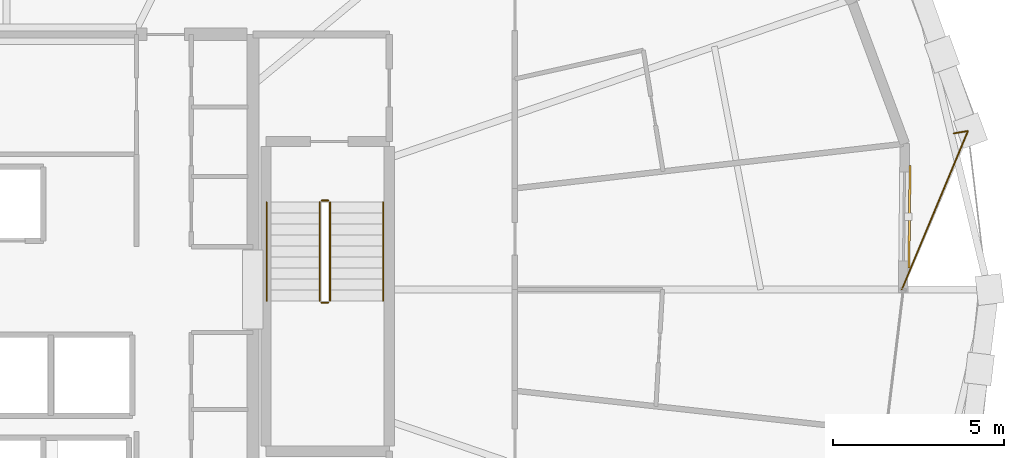
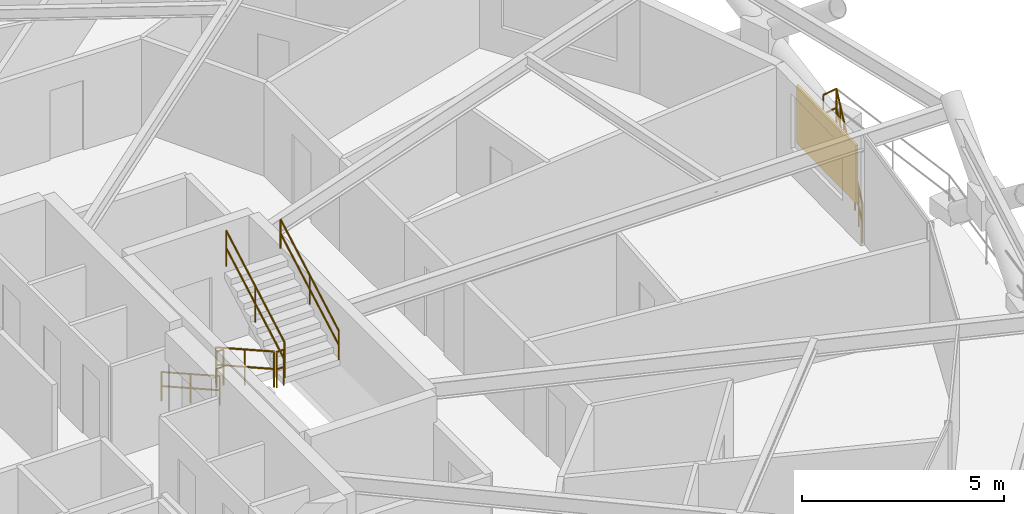
# One storey, part 20 of 20: 7 railings, 1 shading device.
"""IFC4 building model written with IfcOpenShell, lengths in metres."""

from ifc_helpers import new_model, si_unit, direction, frame, origin, origin_2d, place, context, subcontext, project, spatial, rectangle, circle, extrude, material, layer, layer_set, type_object, element, save


model = new_model("IFC4")

# Units and contexts
model_context = context("Model", 3, precision=1e-05, world=origin(), true_north=direction((0.0, 1.0)))
body_context = subcontext(model_context, "Body", "Model", "MODEL_VIEW")
ifc_project = project(units=[si_unit("LENGTHUNIT", "METRE"), si_unit("AREAUNIT", "SQUARE_METRE"), si_unit("VOLUMEUNIT", "CUBIC_METRE"), si_unit("PLANEANGLEUNIT", "RADIAN"), si_unit("MASSUNIT", "GRAM", prefix="KILO")], contexts=[model_context])

# Site, building, storey
site_placement = place(None, origin())
site = spatial("IfcSite", under=ifc_project, at=site_placement, CompositionType="ELEMENT")
building_placement = place(site_placement, origin())
building = spatial("IfcBuilding", under=site, at=building_placement, Name="Veldorina Hangang Commons", CompositionType="ELEMENT")
storey_placement = place(building_placement, frame((0.0, 0.0, 117.199951171875)))
storey = spatial("IfcBuildingStorey", under=building, at=storey_placement, Name="L29", CompositionType="ELEMENT", Elevation=117.199951171875)

# Railings
ifc_material_1 = material(Name="Glass Laminated Safety Balustrade", Category="glass")
railing_type_1 = type_object("IfcRailingType", Name="RL-BAL-LOGGIA", PredefinedType="BALUSTRADE", material=ifc_material_1)
railing_1_placement = place(storey_placement, frame((59.66162109375, 28.560791015625, 0.0)))
element("IfcRailing", 1, at=railing_1_placement, inside=storey, type_object=railing_type_1, Name="L29 sky-garden loggia end balustrade B", PredefinedType="BALUSTRADE", context=body_context, shape_type="SweptSolid", body=[
    extrude(circle(Radius=0.02392578125, at=origin_2d()), frame((0.0, 0.0, 1.17578125), z_axis=(0.986659757818, 0.162795952969, 0.0), x_axis=(-0.162795952969, 0.986659757818, 0.0)), (0.0, 0.0, 1.0), 0.419921875),
    extrude(circle(Radius=0.02392578125, at=origin_2d()), frame((0.0, 0.0, 0.60009765625), z_axis=(0.986659757818, 0.162795952969, 0.0), x_axis=(-0.162795952969, 0.986659757818, 0.0)), (0.0, 0.0, 1.0), 0.419921875),
    extrude(circle(Radius=0.02392578125, at=origin_2d()), frame((0.414306640625, 0.068359375, 1.17578125), z_axis=(-0.384722536886, -0.923032268998, 0.0), x_axis=(0.923032268998, -0.384722536886, 0.0)), (0.0, 0.0, 1.0), 5.01513671875),
    extrude(circle(Radius=0.02392578125, at=origin_2d()), frame((0.414306640625, 0.068359375, 0.60009765625), z_axis=(-0.384722536886, -0.923032268998, 0.0), x_axis=(0.923032268998, -0.384722536886, 0.0)), (0.0, 0.0, 1.0), 5.01513671875),
    extrude(circle(Radius=0.02099609375, at=origin_2d()), origin(), (0.0, 0.0, 1.0), 1.15185546875),
    extrude(circle(Radius=0.02099609375, at=origin_2d()), frame((0.414306640625, 0.068359375, 0.0)), (0.0, 0.0, 1.0), 1.15185546875),
    extrude(circle(Radius=0.02099609375, at=origin_2d()), frame((0.138671875, -0.593017578125, 0.0)), (0.0, 0.0, 1.0), 1.15185546875),
    extrude(circle(Radius=0.02099609375, at=origin_2d()), frame((-0.136962890625, -1.254150390625, 0.0)), (0.0, 0.0, 1.0), 1.15185546875),
    extrude(circle(Radius=0.02099609375, at=origin_2d()), frame((-0.41259765625, -1.91552734375, 0.0)), (0.0, 0.0, 1.0), 1.15185546875),
    extrude(circle(Radius=0.02099609375, at=origin_2d()), frame((-0.688232421875, -2.576904296875, 0.0)), (0.0, 0.0, 1.0), 1.15185546875),
    extrude(circle(Radius=0.02099609375, at=origin_2d()), frame((-0.9638671875, -3.23828125, 0.0)), (0.0, 0.0, 1.0), 1.15185546875),
    extrude(circle(Radius=0.02099609375, at=origin_2d()), frame((-1.239501953125, -3.8994140625, 0.0)), (0.0, 0.0, 1.0), 1.15185546875),
    extrude(circle(Radius=0.02099609375, at=origin_2d()), frame((-1.51513671875, -4.560791015625, 0.0)), (0.0, 0.0, 1.0), 1.15185546875),
])
ifc_material_2 = material(Name="Steel Painted Balustrade", Category="steel")
railing_type_2 = type_object("IfcRailingType", Name="RL-GRD-STAIR", PredefinedType="GUARDRAIL", material=ifc_material_2)
railing_2_placement = place(storey_placement, frame((41.14990234375, 26.550048828125, 0.179931640625)))
element("IfcRailing", 2, at=railing_2_placement, inside=storey, type_object=railing_type_2, Name="L29 ST-2 stair guard 1", PredefinedType="GUARDRAIL", context=body_context, shape_type="SweptSolid", body=[
    extrude(circle(Radius=0.02392578125, at=origin_2d()), frame((0.0, 0.0, 1.076171875), z_axis=(0.0, -0.871569617843, 0.490271762652), x_axis=(1.0, 0.0, 0.0)), (0.0, 0.0, 1.0), 3.304443359375),
    extrude(circle(Radius=0.02392578125, at=origin_2d()), frame((0.0, 0.0, 0.550048828125), z_axis=(0.0, -0.871569617843, 0.490271762652), x_axis=(1.0, 0.0, 0.0)), (0.0, 0.0, 1.0), 3.304443359375),
    extrude(circle(Radius=0.02099609375, at=origin_2d()), origin(), (0.0, 0.0, 1.0), 1.052001953125),
    extrude(circle(Radius=0.02099609375, at=origin_2d()), frame((0.0, -1.43994140625, 0.81005859375)), (0.0, 0.0, 1.0), 1.052001953125),
    extrude(circle(Radius=0.02099609375, at=origin_2d()), frame((0.0, -2.880126953125, 1.6201171875)), (0.0, 0.0, 1.0), 1.052001953125),
])
railing_3_placement = place(storey_placement, frame((41.199951171875, 23.6201171875, 1.800048828125)))
element("IfcRailing", 3, at=railing_3_placement, inside=storey, type_object=railing_type_2, Name="L29 ST-2 stair guard 2", PredefinedType="GUARDRAIL", context=body_context, shape_type="SweptSolid", body=[
    extrude(circle(Radius=0.02392578125, at=origin_2d()), frame((0.0, 0.0, 1.076171875), z_axis=(1.0, 0.0, 0.0), x_axis=(0.0, 1.0, 0.0)), (0.0, 0.0, 1.0), 0.199951171875),
    extrude(circle(Radius=0.02392578125, at=origin_2d()), frame((0.0, 0.0, 0.550048828125), z_axis=(1.0, 0.0, 0.0), x_axis=(0.0, 1.0, 0.0)), (0.0, 0.0, 1.0), 0.199951171875),
    extrude(circle(Radius=0.02099609375, at=origin_2d()), origin(), (0.0, 0.0, 1.0), 1.052001953125),
    extrude(circle(Radius=0.02099609375, at=origin_2d()), frame((0.199951171875, 0.0, 0.0)), (0.0, 0.0, 1.0), 1.052001953125),
])
railing_4_placement = place(storey_placement, frame((41.449951171875, 23.669921875, 1.97998046875)))
element("IfcRailing", 4, at=railing_4_placement, inside=storey, type_object=railing_type_2, Name="L29 ST-2 stair guard 3", PredefinedType="GUARDRAIL", context=body_context, shape_type="SweptSolid", body=[
    extrude(circle(Radius=0.02392578125, at=origin_2d()), frame((0.0, 0.0, 1.076171875), z_axis=(0.0, 0.871569617843, 0.490271762652), x_axis=(-1.0, 0.0, 0.0)), (0.0, 0.0, 1.0), 3.304443359375),
    extrude(circle(Radius=0.02392578125, at=origin_2d()), frame((0.0, 0.0, 0.550048828125), z_axis=(0.0, 0.871569617843, 0.490271762652), x_axis=(-1.0, 0.0, 0.0)), (0.0, 0.0, 1.0), 3.304443359375),
    extrude(circle(Radius=0.02099609375, at=origin_2d()), origin(), (0.0, 0.0, 1.0), 1.052001953125),
    extrude(circle(Radius=0.02099609375, at=origin_2d()), frame((0.0, 1.43994140625, 0.81005859375)), (0.0, 0.0, 1.0), 1.052001953125),
    extrude(circle(Radius=0.02099609375, at=origin_2d()), frame((0.0, 2.880126953125, 1.6201171875)), (0.0, 0.0, 1.0), 1.052001953125),
])
railing_5_placement = place(storey_placement, frame((41.199951171875, 26.60009765625, 0.0)))
element("IfcRailing", 5, at=railing_5_placement, inside=storey, type_object=railing_type_2, Name="L29 ST-2 stair guard 4", PredefinedType="GUARDRAIL", context=body_context, shape_type="SweptSolid", body=[
    extrude(circle(Radius=0.02392578125, at=origin_2d()), frame((0.0, 0.0, 1.076171875), z_axis=(1.0, 0.0, 0.0), x_axis=(0.0, 1.0, 0.0)), (0.0, 0.0, 1.0), 0.199951171875),
    extrude(circle(Radius=0.02392578125, at=origin_2d()), frame((0.0, 0.0, 0.550048828125), z_axis=(1.0, 0.0, 0.0), x_axis=(0.0, 1.0, 0.0)), (0.0, 0.0, 1.0), 0.199951171875),
    extrude(circle(Radius=0.02099609375, at=origin_2d()), origin(), (0.0, 0.0, 1.0), 1.052001953125),
    extrude(circle(Radius=0.02099609375, at=origin_2d()), frame((0.199951171875, 0.0, 0.0)), (0.0, 0.0, 1.0), 1.052001953125),
])
ifc_material_3 = material(Name="Stainless Steel Brushed 316", Category="steel")
railing_type_3 = type_object("IfcRailingType", Name="RL-HND-STAIR", PredefinedType="HANDRAIL", material=ifc_material_3)
railing_6_placement = place(storey_placement, frame((39.60009765625, 26.550048828125, 0.179931640625)))
element("IfcRailing", 6, at=railing_6_placement, inside=storey, type_object=railing_type_3, Name="L29 ST-2 stair handrail 1", PredefinedType="HANDRAIL", context=body_context, shape_type="SweptSolid", body=[
    extrude(circle(Radius=0.02392578125, at=origin_2d()), frame((0.0, 0.0, 0.8759765625), z_axis=(0.0, -0.871569617843, 0.490271762652), x_axis=(1.0, 0.0, 0.0)), (0.0, 0.0, 1.0), 3.304443359375),
    extrude(circle(Radius=0.02392578125, at=origin_2d()), frame((0.0, 0.0, 0.449951171875), z_axis=(0.0, -0.871569617843, 0.490271762652), x_axis=(1.0, 0.0, 0.0)), (0.0, 0.0, 1.0), 3.304443359375),
    extrude(circle(Radius=0.02099609375, at=origin_2d()), origin(), (0.0, 0.0, 1.0), 0.851806640625),
    extrude(circle(Radius=0.02099609375, at=origin_2d()), frame((0.0, -1.43994140625, 0.81005859375)), (0.0, 0.0, 1.0), 0.851806640625),
    extrude(circle(Radius=0.02099609375, at=origin_2d()), frame((0.0, -2.880126953125, 1.6201171875)), (0.0, 0.0, 1.0), 0.851806640625),
])
railing_7_placement = place(storey_placement, frame((43.0, 23.669921875, 1.97998046875)))
element("IfcRailing", 7, at=railing_7_placement, inside=storey, type_object=railing_type_3, Name="L29 ST-2 stair handrail 2", PredefinedType="HANDRAIL", context=body_context, shape_type="SweptSolid", body=[
    extrude(circle(Radius=0.02392578125, at=origin_2d()), frame((0.0, 0.0, 0.8759765625), z_axis=(0.0, 0.871569617843, 0.490271762652), x_axis=(-1.0, 0.0, 0.0)), (0.0, 0.0, 1.0), 3.304443359375),
    extrude(circle(Radius=0.02392578125, at=origin_2d()), frame((0.0, 0.0, 0.449951171875), z_axis=(0.0, 0.871569617843, 0.490271762652), x_axis=(-1.0, 0.0, 0.0)), (0.0, 0.0, 1.0), 3.304443359375),
    extrude(circle(Radius=0.02099609375, at=origin_2d()), origin(), (0.0, 0.0, 1.0), 0.851806640625),
    extrude(circle(Radius=0.02099609375, at=origin_2d()), frame((0.0, 1.43994140625, 0.81005859375)), (0.0, 0.0, 1.0), 0.851806640625),
    extrude(circle(Radius=0.02099609375, at=origin_2d()), frame((0.0, 2.880126953125, 1.6201171875)), (0.0, 0.0, 1.0), 0.851806640625),
])

# Shading device
ifc_material_4 = material(Name="Ceramic Glazed Terracotta", Category="masonry")
ifc_layer = layer(ifc_material_4, 0.06005859375)
ifc_layer_set = layer_set([ifc_layer], Name="Ceramic Glazed Terracotta")
shading_device_type = type_object("IfcShadingDeviceType", Name="SCR-CER-3000", PredefinedType="USERDEFINED", material=ifc_layer_set)
shading_device_placement = place(storey_placement, frame((58.369384765625, 26.128173828125, 0.75), z_axis=(0.0, 0.0, 1.0), x_axis=(0.010820830182, 0.999941453103, 0.0)))
element("IfcShadingDevice", 8, at=shading_device_placement, inside=storey, type_object=shading_device_type, Name="L29 PERFORATED CERAMIC SOLAR SCREEN 00", ObjectType="SCREEN", PredefinedType="USERDEFINED", context=body_context, shape_type="SweptSolid", body=[
    extrude(rectangle(XDim=3.0, YDim=0.06005859375, at=origin_2d()), origin(), (0.0, 0.0, 1.0), 1.75),
])

save(model, "model.ifc")
